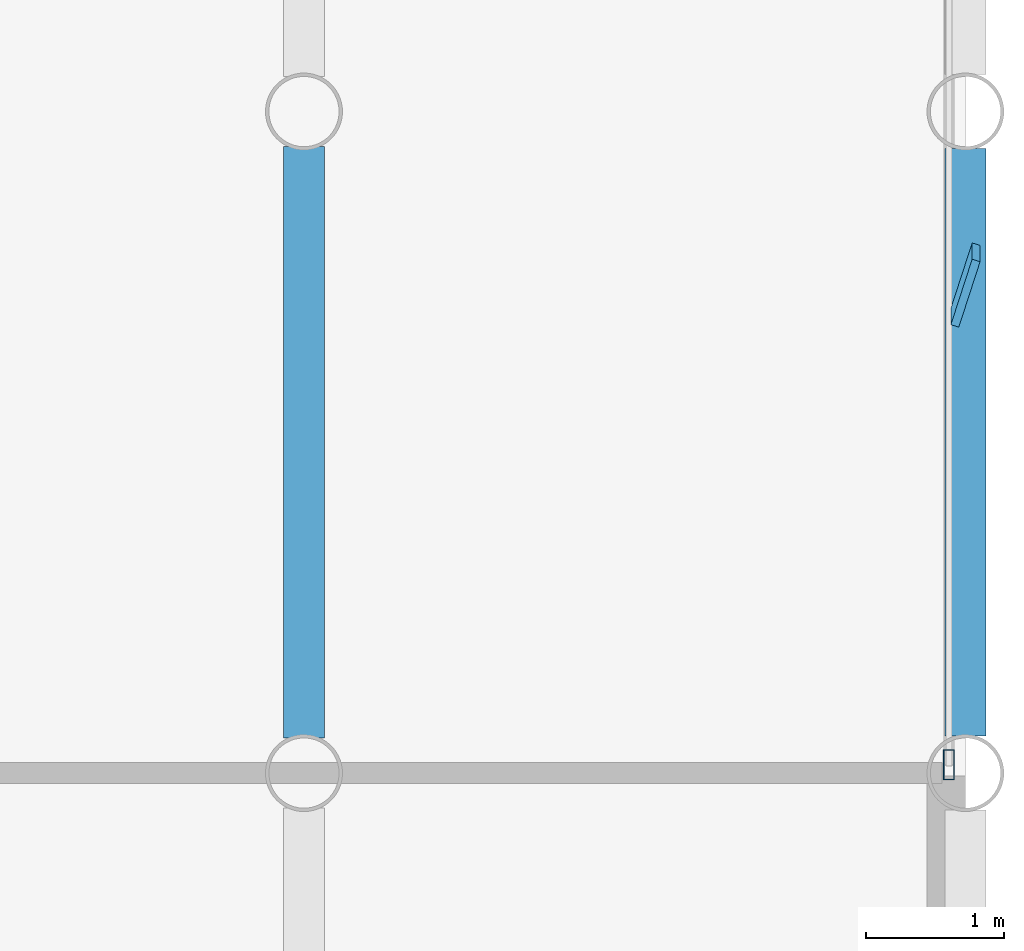
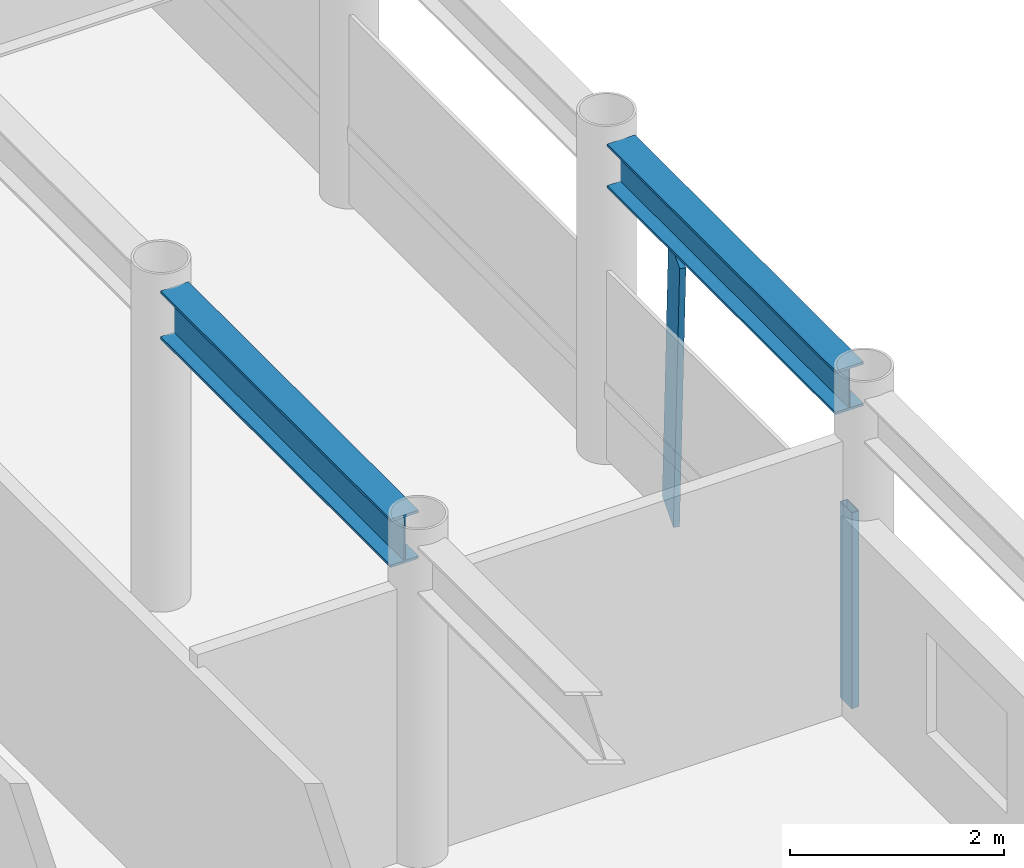
# One storey, part 10 of 22: 2 beams, 2 members, 1 element without a shape of its own.
"""IFC4 building model written with IfcOpenShell, lengths in metres."""

from ifc_helpers import new_model, si_unit, direction, frame, origin, origin_2d, place, context, subcontext, project, spatial, rectangle, hollow_rectangle, i_section, extrude, material, layer, layer_set, material_profile, profile_set, type_object, element, aggregate, save


model = new_model("IFC4")

# Units and contexts
model_context = context("Model", 3, precision=1e-05, world=origin(), true_north=direction((0.0, 1.0)))
body_context = subcontext(model_context, "Body", "Model", "MODEL_VIEW")
ifc_project = project(units=[si_unit("LENGTHUNIT", "METRE"), si_unit("AREAUNIT", "SQUARE_METRE"), si_unit("VOLUMEUNIT", "CUBIC_METRE"), si_unit("PLANEANGLEUNIT", "RADIAN"), si_unit("MASSUNIT", "GRAM", prefix="KILO")], contexts=[model_context])

# Site, building, storey
site_placement = place(None, origin())
site = spatial("IfcSite", under=ifc_project, at=site_placement, CompositionType="ELEMENT")
building_placement = place(site_placement, origin())
building = spatial("IfcBuilding", under=site, at=building_placement, Name="Kallvorn Hotel Tower", CompositionType="ELEMENT")
storey_placement = place(building_placement, frame((0.0, 0.0, 241.550048828125)))
storey = spatial("IfcBuildingStorey", under=building, at=storey_placement, Name="L60", CompositionType="ELEMENT", Elevation=241.550048828125)

# Beams
ifc_material_1 = material(Name="Structural steel S355JR", Category="steel")
ifc_material_profile_1 = material_profile(ifc_material_1, i_section(OverallWidth=0.300048828125, OverallDepth=0.5, WebThickness=0.014404296875, FlangeThickness=0.028076171875, at=origin_2d()), Name="HE 500 B")
ifc_profile_set_1 = profile_set([ifc_material_profile_1], Name="Structural steel S355JR")
beam_type_1 = type_object("IfcBeamType", Name="BM_HE500B", PredefinedType="SPANDREL", material=ifc_profile_set_1)
beam_1_placement = place(storey_placement, frame((33.60009765625, 0.26953125, 3.419921875), z_axis=(0.0, 1.0, 0.0), x_axis=(-1.0, 0.0, 0.0)))
element("IfcBeam", 1, at=beam_1_placement, inside=storey, type_object=beam_type_1, Name="L61 Perimeter Spandrel 185", PredefinedType="SPANDREL", context=body_context, shape_type="SweptSolid", body=[
    extrude(i_section(OverallWidth=0.300048828125, OverallDepth=0.5, WebThickness=0.014404296875, FlangeThickness=0.028076171875, at=origin_2d()), origin(), (0.0, 0.0, 1.0), 4.260986328125),
])
ifc_material_2 = material(Name="Structural steel S355JR", Category="steel")
ifc_material_profile_2 = material_profile(ifc_material_2, i_section(OverallWidth=0.300048828125, OverallDepth=0.550048828125, WebThickness=0.014892578125, FlangeThickness=0.029052734375, at=origin_2d()), Name="HE 550 B")
ifc_profile_set_2 = profile_set([ifc_material_profile_2], Name="Structural steel S355JR")
beam_type_2 = type_object("IfcBeamType", Name="BM_HE550B", PredefinedType="SPANDREL", material=ifc_profile_set_2)
beam_2_placement = place(storey_placement, frame((28.800048828125, 0.25439453125, 3.39501953125), z_axis=(0.0, 1.0, 0.0), x_axis=(-1.0, 0.0, 0.0)))
element("IfcBeam", 2, at=beam_2_placement, inside=storey, type_object=beam_type_2, Name="L61 Primary Y-Girder 146", PredefinedType="SPANDREL", context=body_context, shape_type="SweptSolid", body=[
    extrude(i_section(OverallWidth=0.300048828125, OverallDepth=0.550048828125, WebThickness=0.014892578125, FlangeThickness=0.029052734375, at=origin_2d()), origin(), (0.0, 0.0, 1.0), 4.291015625),
])

# Curtain wall, member
ifc_material_3 = material(Name="Thermally broken black-anodised aluminium AA 6063-T6", Category="aluminium")
ifc_layer = layer(ifc_material_3, 0.22998046875)
ifc_layer_set = layer_set([ifc_layer], Name="CW_SYS_5_HOTEL_HIGH")
curtain_wall_type = type_object("IfcCurtainWallType", Name="CW_SYS_5_HOTEL_HIGH", PredefinedType="USERDEFINED", material=ifc_layer_set)
curtain_wall_placement = place(storey_placement, origin())
curtain_wall = element("IfcCurtainWall", 3, at=curtain_wall_placement, inside=storey, type_object=curtain_wall_type, Name="L60 Dark-Glass Curtain Wall CW-L60-EN", ObjectType="UNITISED CURTAIN WALL", PredefinedType="USERDEFINED")
ifc_material_4 = material(Name="Thermally broken black-anodised aluminium AA 6063-T6", Category="aluminium")
ifc_material_profile_3 = material_profile(ifc_material_4, hollow_rectangle(XDim=0.080078125, YDim=0.219970703125, WallThickness=0.0048828125, at=origin_2d()), Name="MUL 220x80")
ifc_profile_set_3 = profile_set([ifc_material_profile_3], Name="Thermally broken black-anodised aluminium AA 6063-T6")
member_type_1 = type_object("IfcMemberType", Name="CW_MULLION_220x80", PredefinedType="MULLION", material=ifc_profile_set_3)
member_1_placement = place(storey_placement, frame((33.47998046875, 0.06005859375, 0.02001953125), z_axis=(0.0, 0.0, 1.0), x_axis=(1.0, 0.0, 0.0)))
member_1 = element("IfcMember", 4, at=member_1_placement, type_object=member_type_1, Name="CW-L60-EN Mullion 00", PredefinedType="MULLION", context=body_context, shape_type="SweptSolid", body=[
    extrude(hollow_rectangle(XDim=0.080078125, YDim=0.219970703125, WallThickness=0.0048828125, at=origin_2d()), origin(), (0.0, 0.0, 1.0), 2.22998046875),
])
aggregate(curtain_wall, [member_1])

# Member
ifc_material_5 = material(Name="Thermally broken black-anodised aluminium AA 6063-T6", Category="aluminium")
ifc_material_profile_4 = material_profile(ifc_material_5, rectangle(XDim=0.06005859375, YDim=0.5, at=origin_2d()), Name="FIN 500x60")
ifc_profile_set_4 = profile_set([ifc_material_profile_4], Name="Thermally broken black-anodised aluminium AA 6063-T6")
member_type_2 = type_object("IfcMemberType", Name="MBR_SUNSHADE_FIN", PredefinedType="USERDEFINED", material=ifc_profile_set_4)
member_2_placement = place(storey_placement, frame((33.60009765625, 3.60009765625, 0.0), z_axis=(0.0, -0.039016348461, 0.99923857239), x_axis=(0.951056516295, -0.308781700304, -0.012056714733)))
element("IfcMember", 5, at=member_2_placement, inside=storey, type_object=member_type_2, Name="L60 Angled Vertical Sunshade Fin E1", ObjectType="SUNSHADE FIN", PredefinedType="USERDEFINED", context=body_context, shape_type="SweptSolid", body=[
    extrude(rectangle(XDim=0.06005859375, YDim=0.5, at=origin_2d()), origin(), (0.0, 0.0, 1.0), 3.022216796875),
])

save(model, "model.ifc")
